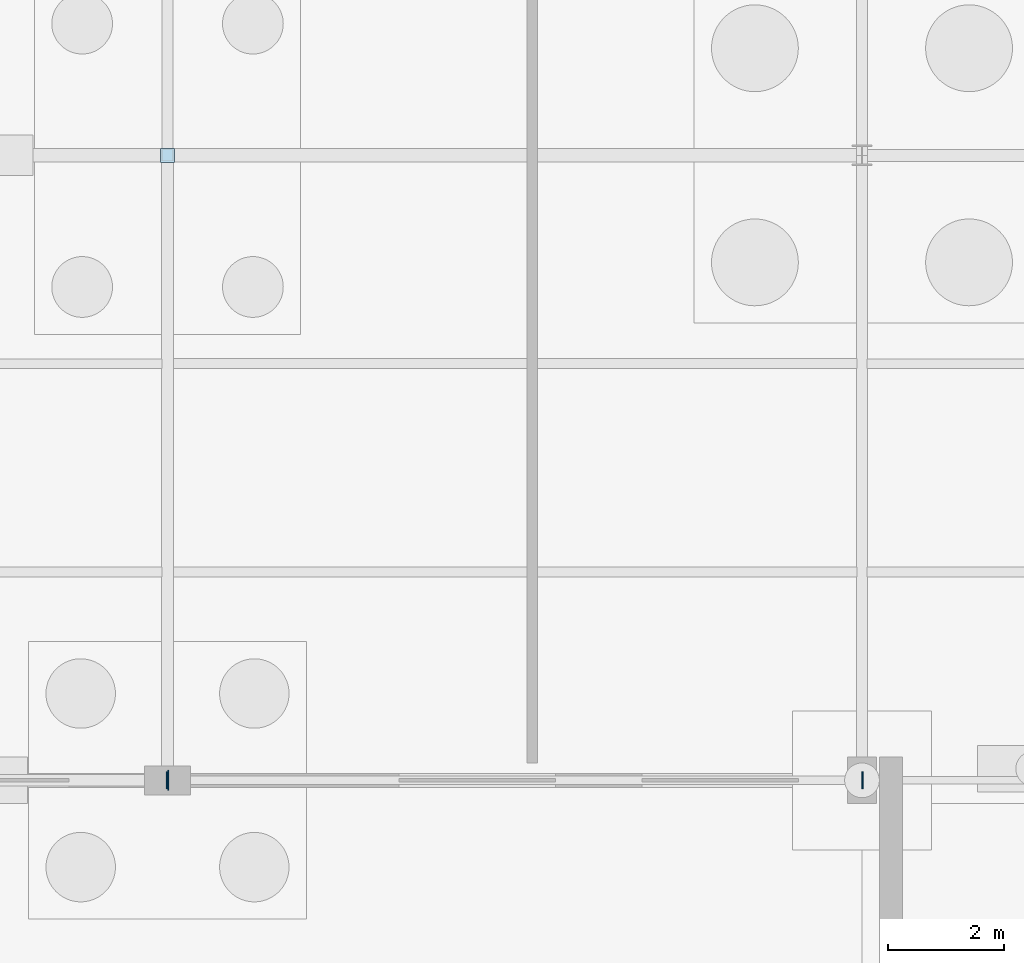
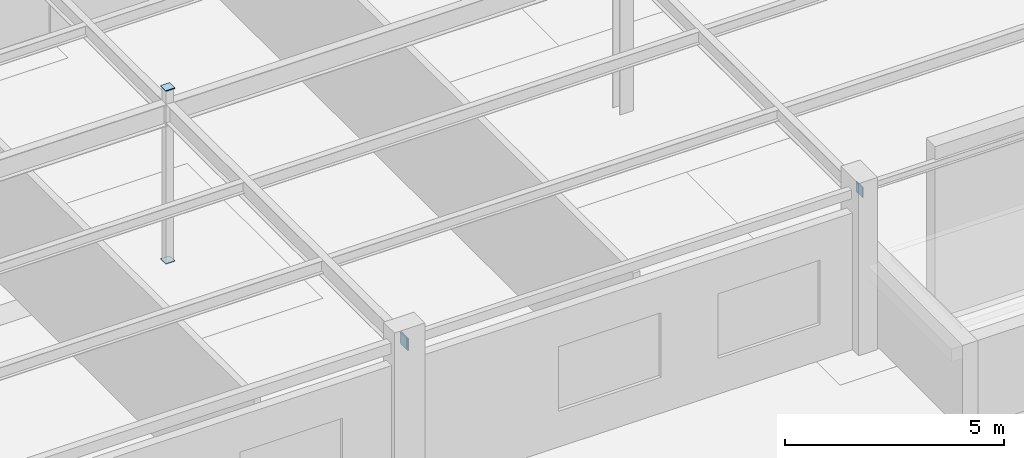
# One storey, part 90 of 136: 5 plates.
"""IFC4 building model written with IfcOpenShell, lengths in metres."""

from ifc_helpers import new_model, si_unit, direction, frame, origin, origin_2d, place, context, subcontext, project, spatial, rectangle, extrude, material, layer, layer_set, type_object, element, save


model = new_model("IFC4")

# Units and contexts
model_context = context("Model", 3, precision=1e-05, world=origin(), true_north=direction((0.0, 1.0)))
body_context = subcontext(model_context, "Body", "Model", "MODEL_VIEW")
ifc_project = project(units=[si_unit("LENGTHUNIT", "METRE"), si_unit("AREAUNIT", "SQUARE_METRE"), si_unit("VOLUMEUNIT", "CUBIC_METRE"), si_unit("PLANEANGLEUNIT", "RADIAN"), si_unit("MASSUNIT", "GRAM", prefix="KILO")], contexts=[model_context])

# Site, building, storey
site_placement = place(None, origin())
site = spatial("IfcSite", under=ifc_project, at=site_placement, CompositionType="ELEMENT")
building_placement = place(site_placement, origin())
building = spatial("IfcBuilding", under=site, at=building_placement, Name="Tarnwether General Hospital", CompositionType="ELEMENT")
storey_placement = place(building_placement, frame((0.0, 0.0, -4.800048828125)))
storey = spatial("IfcBuildingStorey", under=building, at=storey_placement, Name="LG", CompositionType="ELEMENT", Elevation=-4.800048828125)

# Plates
ifc_material = material(Name="Steel Grade 350 (350 MPa)", Category="steel")
ifc_layer = layer(ifc_material, 0.02490234375)
ifc_layer_set = layer_set([ifc_layer], Name="Steel Grade 350 (350 MPa)")
plate_type = type_object("IfcPlateType", Name="PT-GUS2", PredefinedType="USERDEFINED", material=ifc_layer_set)
for number, where, z_axis, x_axis, name in (
    (1, (36.0, 10.800048828125, -0.02490234375), (0.0, 0.0, 1.0), (1.0, 0.0, 0.0), "Hollow Section Welded End Cap Plate 0075"),
    (2, (36.0, 10.800048828125, 4.800048828125), (0.0, 0.0, 1.0), (1.0, 0.0, 0.0), "Hollow Section Welded End Cap Plate 0076"),
):
    element("IfcPlate", number, at=place(storey_placement, frame(where, z_axis=z_axis, x_axis=x_axis)), inside=storey, type_object=plate_type, Name=name, ObjectType="GUSSET", PredefinedType="USERDEFINED", context=body_context, shape_type="SweptSolid", body=[
        extrude(rectangle(XDim=0.239990234375, YDim=0.239990234375, at=origin_2d()), origin(), (0.0, 0.0, 1.0), 0.02490234375),
    ])
plate_placement = place(storey_placement, frame((36.012451171875, 0.0, 4.10986328125), z_axis=(0.0, 0.0, 1.0), x_axis=(1.0, 0.0, 0.0)))
element("IfcPlate", 3, at=plate_placement, inside=storey, type_object=plate_type, Name="Hollow Section Welded End Cap Plate 0818", ObjectType="GUSSET", PredefinedType="USERDEFINED", context=body_context, shape_type="SweptSolid", body=[
    extrude(rectangle(XDim=0.02490234375, YDim=0.340087890625, at=origin_2d()), origin(), (0.0, 0.0, 1.0), 0.340087890625),
])
for number, where, z_axis, x_axis, name in (
    (4, (35.987548828125, 0.0, 4.159912109375), (0.0, 0.0, 1.0), (1.0, 0.0, 0.0), "Hollow Section Welded End Cap Plate 0819"),
    (5, (48.012451171875, 0.0, 4.159912109375), (0.0, 0.0, 1.0), (1.0, 0.0, 0.0), "Hollow Section Welded End Cap Plate 0820"),
):
    element("IfcPlate", number, at=place(storey_placement, frame(where, z_axis=z_axis, x_axis=x_axis)), inside=storey, type_object=plate_type, Name=name, ObjectType="GUSSET", PredefinedType="USERDEFINED", context=body_context, shape_type="SweptSolid", body=[
        extrude(rectangle(XDim=0.02490234375, YDim=0.2900390625, at=origin_2d()), origin(), (0.0, 0.0, 1.0), 0.2900390625),
    ])

save(model, "model.ifc")
